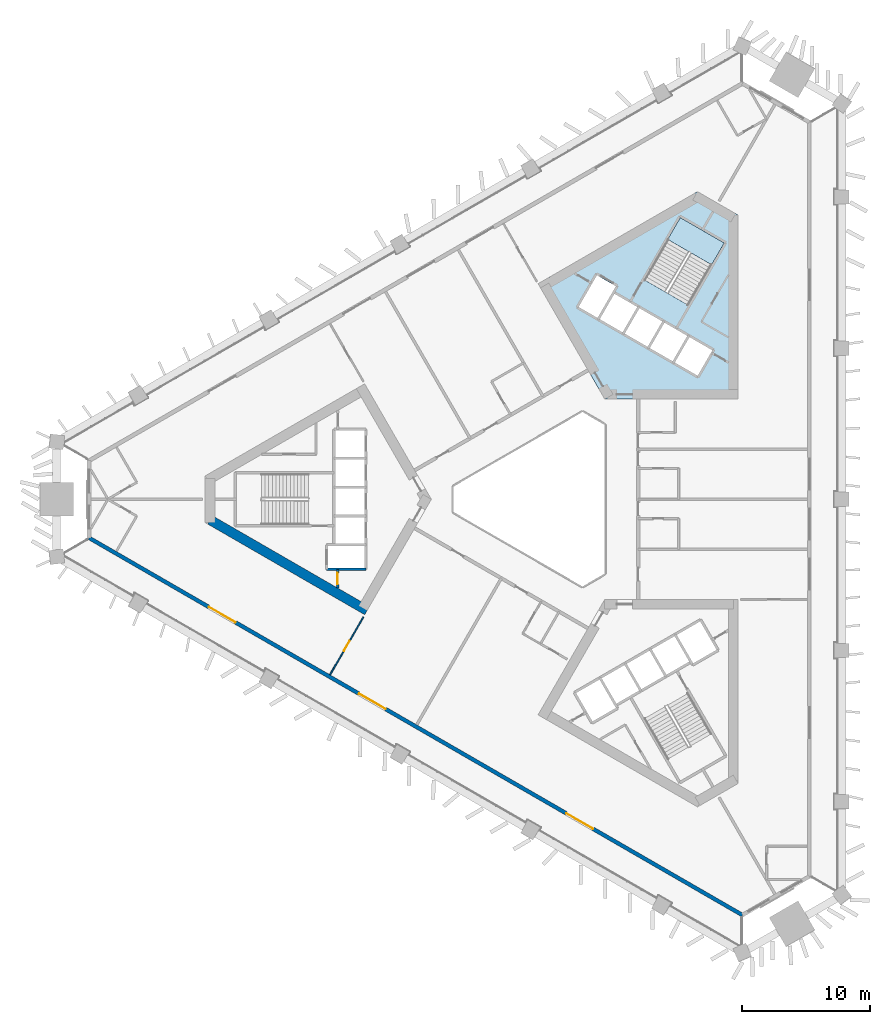
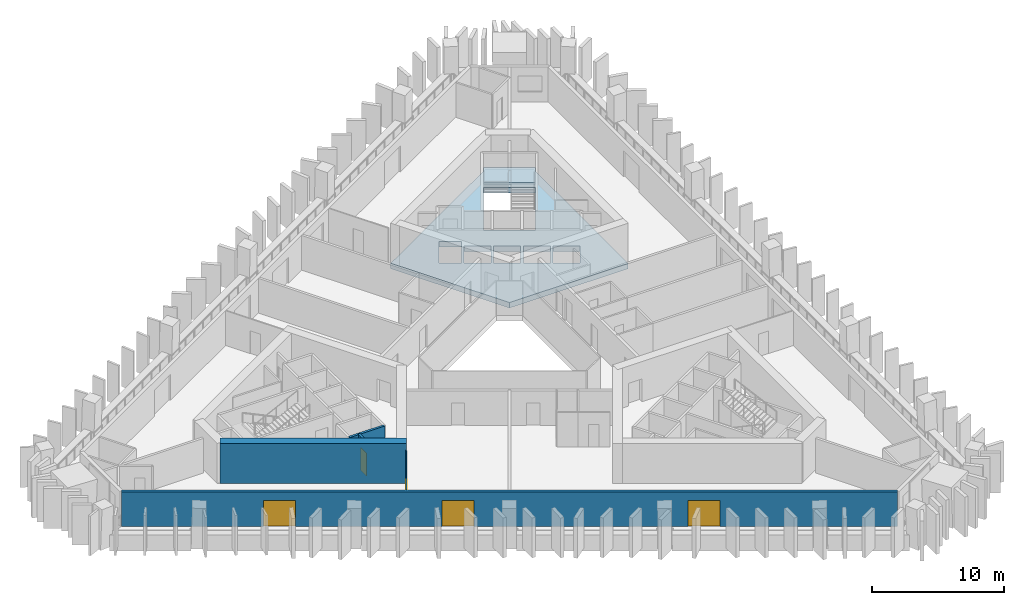
# One storey, part 2 of 11: 5 doors, 5 walls, 2 slabs, 5 openings, 1 element without a shape of its own.
"""IFC4 building model written with IfcOpenShell, lengths in metres."""

from ifc_helpers import new_model, si_unit, direction, frame, frame_2d, origin, place, context, subcontext, project, spatial, polyline, rectangle, outline, extrude, material, layer, layer_set, type_object, element, fill, aggregate, save


model = new_model("IFC4")

# Units and contexts
model_context = context("Model", 3, precision=1e-05, world=origin(), true_north=direction((0.0, 1.0)))
body_context = subcontext(model_context, "Body", "Model", "MODEL_VIEW")
ifc_project = project(units=[si_unit("LENGTHUNIT", "METRE"), si_unit("AREAUNIT", "SQUARE_METRE"), si_unit("VOLUMEUNIT", "CUBIC_METRE"), si_unit("PLANEANGLEUNIT", "RADIAN"), si_unit("MASSUNIT", "GRAM", prefix="KILO")], contexts=[model_context])

# Site, building, storey
site_placement = place(None, origin())
site = spatial("IfcSite", under=ifc_project, at=site_placement, CompositionType="ELEMENT")
building_placement = place(site_placement, origin())
building = spatial("IfcBuilding", under=site, at=building_placement, Name="Jabali Bay Hotel Tower and Convention Centre", CompositionType="ELEMENT")
storey_placement = place(building_placement, frame((0.0, 0.0, 83.199951171875)))
storey = spatial("IfcBuildingStorey", under=building, at=storey_placement, Name="L19", CompositionType="ELEMENT", Elevation=83.199951171875)

# Slab
ifc_material_1 = material(Name="Concrete C40", Category="concrete")
ifc_layer_1 = layer(ifc_material_1, 0.5)
ifc_layer_set_1 = layer_set([ifc_layer_1], Name="Concrete C40")
slab_type_1 = type_object("IfcSlabType", Name="Core floor slab 500", PredefinedType="FLOOR", material=ifc_layer_set_1)
slab_1_placement = place(storey_placement, frame((0.0, 0.0, -0.5)))
element("IfcSlab", 1, at=slab_1_placement, inside=storey, type_object=slab_type_1, Name="Core floor slab 2 L19", PredefinedType="FLOOR", context=body_context, shape_type="SweptSolid", body=[
    extrude(outline(polyline([(79.5, 87.794189453125), (89.8798828125, 87.794189453125), (89.8798828125, 102.127685546875), (86.72314453125, 103.9501953125), (74.31005859375, 96.78369140625), (79.5, 87.794189453125)]), holes=[polyline([(84.957763671875, 90.6474609375), (86.733154296875, 89.62255859375), (87.873291015625, 91.59716796875), (86.097900390625, 92.6220703125), (84.957763671875, 90.6474609375)]), polyline([(84.1494140625, 93.7470703125), (83.00927734375, 91.7724609375), (84.78466796875, 90.74755859375), (85.924560546875, 92.72216796875), (84.1494140625, 93.7470703125)]), polyline([(82.20068359375, 94.8720703125), (81.060791015625, 92.8974609375), (82.836181640625, 91.87255859375), (83.97607421875, 93.84716796875), (82.20068359375, 94.8720703125)]), polyline([(79.1123046875, 94.0224609375), (80.887451171875, 92.99755859375), (82.027587890625, 94.97216796875), (80.252197265625, 95.9970703125), (79.1123046875, 94.0224609375)]), polyline([(78.891845703125, 97.440673828125), (77.466796875, 94.97265625), (78.93896484375, 94.12255859375), (80.364013671875, 96.5908203125), (78.891845703125, 97.440673828125)]), polyline([(82.584716796875, 97.0869140625), (86.00537109375, 95.11181640625), (88.80029296875, 99.952880859375), (85.379638671875, 101.927978515625), (82.584716796875, 97.0869140625)])]), origin(), (0.0, 0.0, 1.0), 0.5),
])

# Stair, slab
stair_type = type_object("IfcStairType", Name="Exit stair 1900", PredefinedType="HALF_TURN_STAIR", material=ifc_material_1)
stair_placement = place(storey_placement, origin())
stair = element("IfcStair", 2, at=stair_placement, inside=storey, type_object=stair_type, Name="L19 Exit Stair 2", PredefinedType="HALF_TURN_STAIR")
ifc_layer_2 = layer(ifc_material_1, 0.199951171875)
ifc_layer_set_2 = layer_set([ifc_layer_2], Name="Concrete C40")
slab_type_2 = type_object("IfcSlabType", Name="Stair landing 200", PredefinedType="LANDING", material=ifc_layer_set_2)
slab_2_placement = place(storey_placement, frame((0.0, 0.0, 1.650146484375)))
slab_2 = element("IfcSlab", 3, at=slab_2_placement, type_object=slab_type_2, Name="ST2 landing 1", PredefinedType="LANDING", context=body_context, shape_type="SweptSolid", body=[
    extrude(outline(polyline([(87.81884765625, 98.2529296875), (88.80029296875, 99.952880859375), (85.379638671875, 101.927978515625), (84.398193359375, 100.22802734375), (87.81884765625, 98.2529296875)])), origin(), (0.0, 0.0, 1.0), 0.199951171875),
])
aggregate(stair, [slab_2])

# Wall, opening, door
ifc_layer_3 = layer(ifc_material_1, 0.199951171875)
ifc_layer_set_3 = layer_set([ifc_layer_3], Name="Concrete C40")
wall_type_1 = type_object("IfcWallType", Name="Core partition wall 200", PredefinedType="PARTITIONING", material=ifc_layer_set_3)
wall_1_placement = place(storey_placement, frame((58.699951171875, 74.550048828125, 0.0), z_axis=(0.0, 0.0, 1.0), x_axis=(0.0, -1.0, 0.0)))
wall_1 = element("IfcWall", 4, at=wall_1_placement, inside=storey, type_object=wall_type_1, Name="Core wall 0.12 L19", PredefinedType="PARTITIONING", context=body_context, shape_type="SweptSolid", body=[
    extrude(rectangle(XDim=1.455078125, YDim=0.199951171875, at=frame_2d((0.7275390625, 0.0))), origin(), (0.0, 0.0, 1.0), 3.199951171875),
])
opening_1_placement = place(wall_1_placement, frame((0.277587890625, 0.0, 0.0)))
opening_1 = element("IfcOpeningElement", 5, at=opening_1_placement, cuts=wall_1, Name="Opening D458", PredefinedType="OPENING", context=body_context, shape_type="SweptSolid", body=[
    extrude(rectangle(XDim=0.89990234375, YDim=2.10009765625, at=frame_2d((0.449951171875, 1.050048828125))), frame((0.0, 0.1103515625, 0.0), z_axis=(0.0, -1.0, 0.0), x_axis=(1.0, 0.0, 0.0)), (0.0, 0.0, 1.0), 0.220947265625),
])
ifc_material_2 = material(Name="Fire-rated steel door", Category="steel")
door_type_1 = type_object("IfcDoorType", Name="Vestibule fire door 900 x 2100", OperationType="NOTDEFINED", PredefinedType="NOTDEFINED", material=ifc_material_2)
door_1_placement = place(opening_1_placement, origin())
door_1 = element("IfcDoor", 6, at=door_1_placement, inside=storey, type_object=door_type_1, Name="Vestibule fire door D458", OperationType="SINGLE_SWING_LEFT", OverallHeight=2.10009765625, OverallWidth=0.89990234375, PredefinedType="NOTDEFINED", context=body_context, shape_type="SweptSolid", body=[
    extrude(rectangle(XDim=0.89990234375, YDim=2.10009765625, at=frame_2d((0.449951171875, 1.050048828125))), frame((0.0, 0.02490234375, 0.0), z_axis=(0.0, -1.0, 0.0), x_axis=(1.0, 0.0, 0.0)), (0.0, 0.0, 1.0), 0.050048828125),
])
fill(opening_1, door_1)

# Walls
ifc_layer_4 = layer(ifc_material_1, 0.199951171875)
ifc_layer_set_4 = layer_set([ifc_layer_4], Name="Concrete C40")
wall_type_2 = type_object("IfcWallType", Name="Core stair wall 200", PredefinedType="SOLIDWALL", material=ifc_layer_set_4)
wall_2_placement = place(storey_placement, frame((60.89990234375, 74.550048828125, 0.0), z_axis=(0.0, 0.0, 1.0), x_axis=(-1.0, 0.0, 0.0)))
element("IfcWall", 7, at=wall_2_placement, inside=storey, type_object=wall_type_2, Name="Core wall 0.9 L19", PredefinedType="SOLIDWALL", context=body_context, shape_type="SweptSolid", body=[
    extrude(rectangle(XDim=3.0498046875, YDim=0.199951171875, at=frame_2d((1.52490234375, 0.0))), origin(), (0.0, 0.0, 1.0), 3.199951171875),
])
ifc_material_3 = material(Name="Concrete C60", Category="concrete")
ifc_layer_5 = layer(ifc_material_3, 0.75)
ifc_layer_set_5 = layer_set([ifc_layer_5], Name="Concrete C60")
wall_type_3 = type_object("IfcWallType", Name="Core wall 750", PredefinedType="SHEAR", material=ifc_layer_set_5)
wall_3_placement = place(storey_placement, frame((48.77197265625, 78.393798828125, 0.0), z_axis=(0.0, 0.0, 1.0), x_axis=(0.866028339916, -0.499994914436, 0.0)))
element("IfcWall", 8, at=wall_3_placement, inside=storey, type_object=wall_type_3, Name="Core wall 1.4 L19", PredefinedType="SHEAR", context=body_context, shape_type="SweptSolid", body=[
    extrude(rectangle(XDim=14.116943359375, YDim=0.75, at=frame_2d((7.05859375, 0.0))), origin(), (0.0, 0.0, 1.0), 3.699951171875),
])

# Wall, openings, doors
ifc_layer_6 = layer(ifc_material_1, 0.300048828125)
ifc_layer_set_6 = layer_set([ifc_layer_6], Name="Concrete C40")
wall_type_4 = type_object("IfcWallType", Name="External wall 300", PredefinedType="SOLIDWALL", material=ifc_layer_set_6)
wall_4_placement = place(storey_placement, frame((90.220947265625, 47.62646484375, 0.0), z_axis=(0.0, 0.0, 1.0), x_axis=(-0.866025832118, 0.499999258104, 0.0)))
wall_4 = element("IfcWall", 9, at=wall_4_placement, inside=storey, type_object=wall_type_4, Name="External wall south-west face L19", PredefinedType="SOLIDWALL", context=body_context, shape_type="SweptSolid", body=[
    extrude(rectangle(XDim=58.73681640625, YDim=0.300048828125, at=frame_2d((29.368408203125, 0.0))), origin(), (0.0, 0.0, 1.0), 3.199951171875),
])
opening_2_placement = place(wall_4_placement, frame((32.0654296875, 0.0, 0.0)))
opening_2 = element("IfcOpeningElement", 10, at=opening_2_placement, cuts=wall_4, Name="Opening SD1", PredefinedType="OPENING", context=body_context, shape_type="SweptSolid", body=[
    extrude(rectangle(XDim=2.39990234375, YDim=2.39990234375, at=frame_2d((1.199951171875, 1.199951171875))), frame((0.0, 0.16064453125, 0.0), z_axis=(0.0, -1.0, 0.0), x_axis=(1.0, 0.0, 0.0)), (0.0, 0.0, 1.0), 0.321044921875),
])
opening_3_placement = place(wall_4_placement, frame((45.574951171875, 0.0, 0.0)))
opening_3 = element("IfcOpeningElement", 11, at=opening_3_placement, cuts=wall_4, Name="Opening SD1", PredefinedType="OPENING", context=body_context, shape_type="SweptSolid", body=[
    extrude(rectangle(XDim=2.39990234375, YDim=2.39990234375, at=frame_2d((1.199951171875, 1.199951171875))), frame((0.0, 0.16064453125, 0.0), z_axis=(0.0, -1.0, 0.0), x_axis=(1.0, 0.0, 0.0)), (0.0, 0.0, 1.0), 0.321044921875),
])
opening_4_placement = place(wall_4_placement, frame((13.44091796875, 0.0, 0.0)))
opening_4 = element("IfcOpeningElement", 12, at=opening_4_placement, cuts=wall_4, Name="Opening SD1", PredefinedType="OPENING", context=body_context, shape_type="SweptSolid", body=[
    extrude(rectangle(XDim=2.39990234375, YDim=2.39990234375, at=frame_2d((1.199951171875, 1.199951171875))), frame((0.0, 0.16064453125, 0.0), z_axis=(0.0, -1.0, 0.0), x_axis=(1.0, 0.0, 0.0)), (0.0, 0.0, 1.0), 0.321044921875),
])
ifc_material_4 = material(Name="Glass", Category="glass")
door_type_2 = type_object("IfcDoorType", Name="Loggia sliding door 2400 x 2400", OperationType="NOTDEFINED", PredefinedType="NOTDEFINED", material=ifc_material_4)
door_2_placement = place(opening_2_placement, origin())
door_2 = element("IfcDoor", 13, at=door_2_placement, inside=storey, type_object=door_type_2, Name="Loggia sliding door 1908", OperationType="SLIDING_TO_LEFT", OverallHeight=2.39990234375, OverallWidth=2.39990234375, PredefinedType="NOTDEFINED", context=body_context, shape_type="SweptSolid", body=[
    extrude(rectangle(XDim=2.39990234375, YDim=2.39990234375, at=frame_2d((1.199951171875, 1.199951171875))), frame((0.0, 0.02490234375, 0.0), z_axis=(0.0, -1.0, 0.0), x_axis=(1.0, 0.0, 0.0)), (0.0, 0.0, 1.0), 0.050048828125),
])
fill(opening_2, door_2)
door_3_placement = place(opening_3_placement, origin())
door_3 = element("IfcDoor", 14, at=door_3_placement, inside=storey, type_object=door_type_2, Name="Loggia sliding door 1908", OperationType="SLIDING_TO_RIGHT", OverallHeight=2.39990234375, OverallWidth=2.39990234375, PredefinedType="NOTDEFINED", context=body_context, shape_type="SweptSolid", body=[
    extrude(rectangle(XDim=2.39990234375, YDim=2.39990234375, at=frame_2d((1.199951171875, 1.199951171875))), frame((0.0, 0.02490234375, 0.0), z_axis=(0.0, -1.0, 0.0), x_axis=(1.0, 0.0, 0.0)), (0.0, 0.0, 1.0), 0.050048828125),
])
fill(opening_3, door_3)
door_4_placement = place(opening_4_placement, origin())
door_4 = element("IfcDoor", 15, at=door_4_placement, inside=storey, type_object=door_type_2, Name="Loggia sliding door 1909", OperationType="SLIDING_TO_LEFT", OverallHeight=2.39990234375, OverallWidth=2.39990234375, PredefinedType="NOTDEFINED", context=body_context, shape_type="SweptSolid", body=[
    extrude(rectangle(XDim=2.39990234375, YDim=2.39990234375, at=frame_2d((1.199951171875, 1.199951171875))), frame((0.0, 0.02490234375, 0.0), z_axis=(0.0, -1.0, 0.0), x_axis=(1.0, 0.0, 0.0)), (0.0, 0.0, 1.0), 0.050048828125),
])
fill(opening_4, door_4)

# Wall, opening, door
ifc_material_5 = material(Name="Plasterboard on steel stud", Category="steel")
ifc_layer_7 = layer(ifc_material_5, 0.10009765625)
ifc_layer_set_7 = layer_set([ifc_layer_7], Name="Plasterboard on steel stud")
wall_type_5 = type_object("IfcWallType", Name="Partition 100 unit", PredefinedType="PARTITIONING", material=ifc_layer_set_7)
wall_5_placement = place(storey_placement, frame((60.71044921875, 70.83837890625, 0.0), z_axis=(0.0, 0.0, 1.0), x_axis=(-0.499973171224, -0.866040892832, 0.0)))
wall_5 = element("IfcWall", 16, at=wall_5_placement, inside=storey, type_object=wall_type_5, Name="Partition P02 L19 031", PredefinedType="PARTITIONING", context=body_context, shape_type="SweptSolid", body=[
    extrude(rectangle(XDim=5.197998046875, YDim=0.10009765625, at=frame_2d((2.59912109375, 0.0))), origin(), (0.0, 0.0, 1.0), 3.199951171875),
])
opening_5_placement = place(wall_5_placement, frame((2.14892578125, 0.0, 0.0)))
opening_5 = element("IfcOpeningElement", 17, at=opening_5_placement, cuts=wall_5, Name="Opening 1919", PredefinedType="OPENING", context=body_context, shape_type="SweptSolid", body=[
    extrude(rectangle(XDim=0.89990234375, YDim=2.10009765625, at=frame_2d((0.449951171875, 1.050048828125))), frame((0.0, 0.060546875, 0.0), z_axis=(0.0, -1.0, 0.0), x_axis=(1.0, 0.0, 0.0)), (0.0, 0.0, 1.0), 0.12109375),
])
ifc_material_6 = material(Name="Timber", Category="wood")
door_type_3 = type_object("IfcDoorType", Name="Internal door 900 x 2100", OperationType="NOTDEFINED", PredefinedType="NOTDEFINED", material=ifc_material_6)
door_5_placement = place(opening_5_placement, origin())
door_5 = element("IfcDoor", 18, at=door_5_placement, inside=storey, type_object=door_type_3, Name="Door 1919", OperationType="SINGLE_SWING_RIGHT", OverallHeight=2.10009765625, OverallWidth=0.89990234375, PredefinedType="NOTDEFINED", context=body_context, shape_type="SweptSolid", body=[
    extrude(rectangle(XDim=0.89990234375, YDim=2.10009765625, at=frame_2d((0.449951171875, 1.050048828125))), frame((0.0, 0.02490234375, 0.0), z_axis=(0.0, -1.0, 0.0), x_axis=(1.0, 0.0, 0.0)), (0.0, 0.0, 1.0), 0.050048828125),
])
fill(opening_5, door_5)

save(model, "model.ifc")
